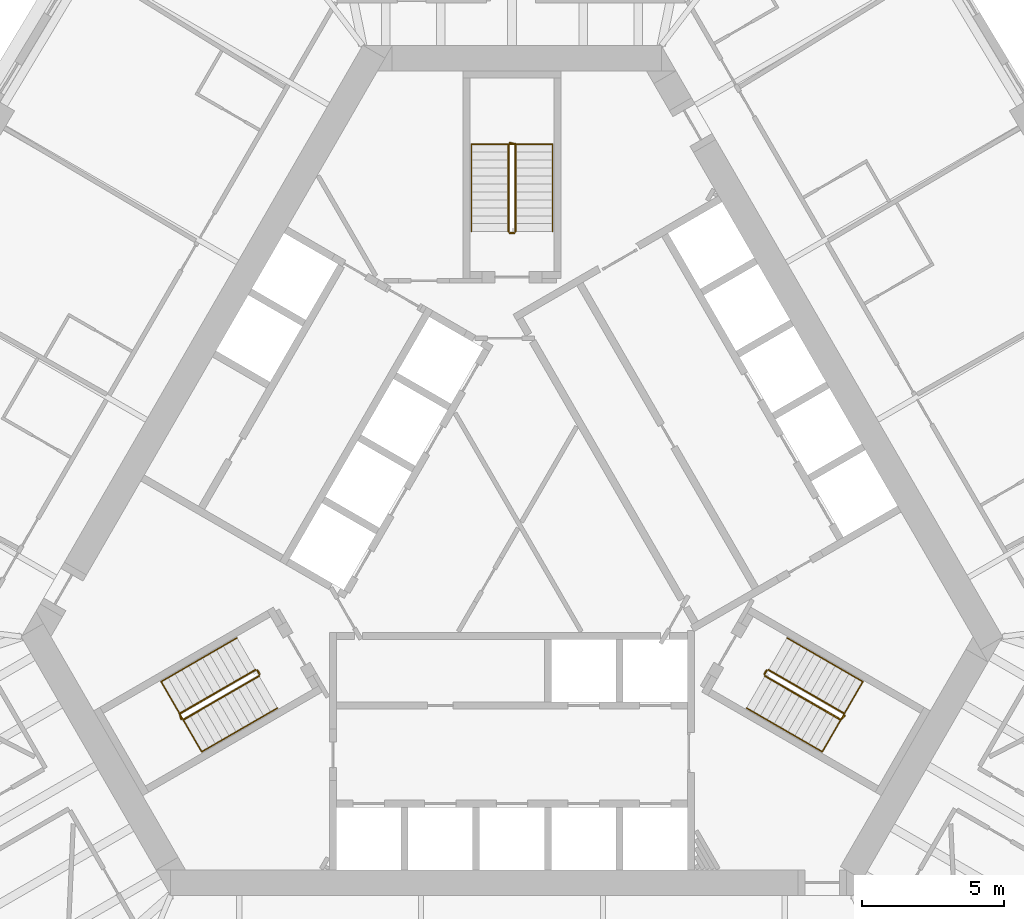
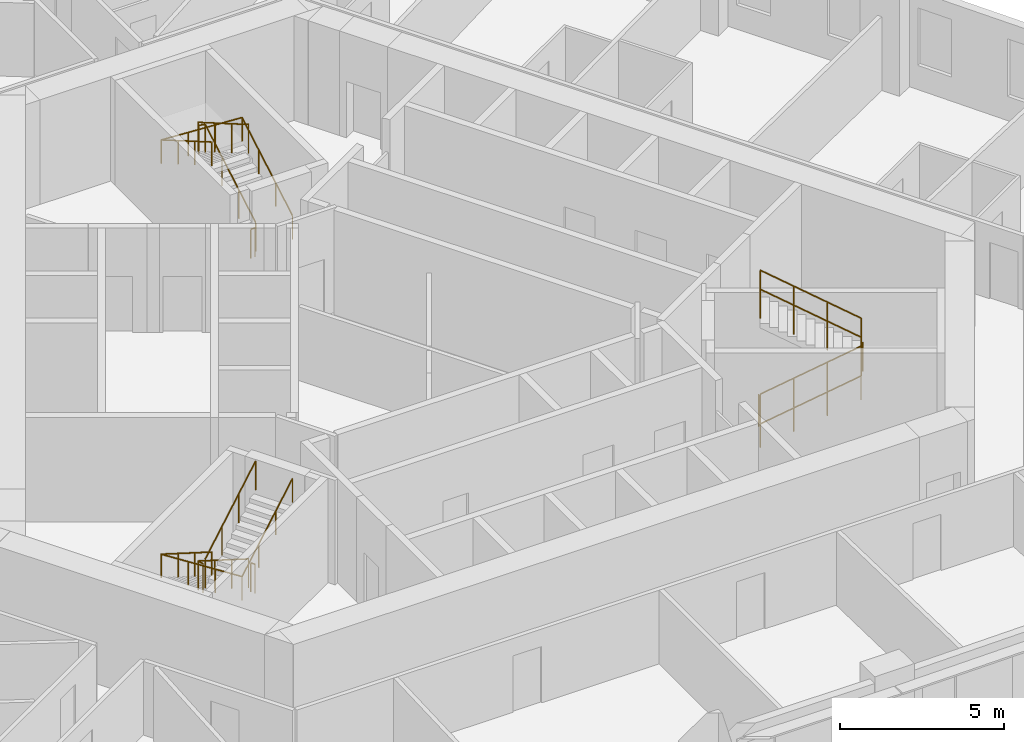
# One storey, part 12 of 12: 12 railings.
"""IFC4 building model written with IfcOpenShell, lengths in metres."""

from ifc_helpers import new_model, si_unit, direction, frame, origin, origin_2d, place, context, subcontext, project, spatial, circle, extrude, material, type_object, element, save


model = new_model("IFC4")

# Units and contexts
model_context = context("Model", 3, precision=1e-05, world=origin(), true_north=direction((0.0, 1.0)))
body_context = subcontext(model_context, "Body", "Model", "MODEL_VIEW")
ifc_project = project(units=[si_unit("LENGTHUNIT", "METRE"), si_unit("AREAUNIT", "SQUARE_METRE"), si_unit("VOLUMEUNIT", "CUBIC_METRE"), si_unit("PLANEANGLEUNIT", "RADIAN"), si_unit("MASSUNIT", "GRAM", prefix="KILO")], contexts=[model_context])

# Site, building, storey
site_placement = place(None, origin())
site = spatial("IfcSite", under=ifc_project, at=site_placement, CompositionType="ELEMENT")
building_placement = place(site_placement, origin())
building = spatial("IfcBuilding", under=site, at=building_placement, Name="Mestral Congress Tower", CompositionType="ELEMENT")
storey_placement = place(building_placement, frame((0.0, 0.0, 47.10009765625)))
storey = spatial("IfcBuildingStorey", under=building, at=storey_placement, Name="L10", CompositionType="ELEMENT", Elevation=47.10009765625)

# Railings
ifc_material_1 = material(Name="Steel balustrade", Category="steel")
railing_type_1 = type_object("IfcRailingType", Name="Stair guard 1100", PredefinedType="GUARDRAIL", material=ifc_material_1)
railing_1_placement = place(storey_placement, frame((8.90087890625, -5.283203125, 0.162353515625)))
element("IfcRailing", 1, at=railing_1_placement, inside=storey, type_object=railing_type_1, Name="L10 ST1 stair guard 1", PredefinedType="GUARDRAIL", context=body_context, shape_type="SweptSolid", body=[
    extrude(circle(Radius=0.02392578125, at=origin_2d()), frame((0.0, 0.0, 1.076171875), z_axis=(0.748993966903, -0.432462603499, 0.501980212875), x_axis=(0.500026652407, 0.866010015463, 0.0)), (0.0, 0.0, 1.0), 3.56103515625),
    extrude(circle(Radius=0.02392578125, at=origin_2d()), frame((2.667236328125, -1.5400390625, 2.86376953125), z_axis=(0.695164929852, 0.718850276695, 0.0), x_axis=(-0.718850276695, 0.695164929852, 0.0)), (0.0, 0.0, 1.0), 0.2060546875),
    extrude(circle(Radius=0.02099609375, at=origin_2d()), origin(), (0.0, 0.0, 1.0), 1.052001953125),
    extrude(circle(Radius=0.02099609375, at=origin_2d()), frame((0.88916015625, -0.513427734375, 0.595947265625)), (0.0, 0.0, 1.0), 1.052001953125),
    extrude(circle(Radius=0.02099609375, at=origin_2d()), frame((1.778076171875, -1.026611328125, 1.191650390625)), (0.0, 0.0, 1.0), 1.052001953125),
    extrude(circle(Radius=0.02099609375, at=origin_2d()), frame((2.667236328125, -1.5400390625, 1.78759765625)), (0.0, 0.0, 1.0), 1.052001953125),
    extrude(circle(Radius=0.02099609375, at=origin_2d()), frame((2.810546875, -1.391845703125, 1.78759765625)), (0.0, 0.0, 1.0), 1.052001953125),
])
railing_2_placement = place(storey_placement, frame((11.693115234375, -6.606689453125, 2.1123046875)))
element("IfcRailing", 2, at=railing_2_placement, inside=storey, type_object=railing_type_1, Name="L10 ST1 stair guard 2", PredefinedType="GUARDRAIL", context=body_context, shape_type="SweptSolid", body=[
    extrude(circle(Radius=0.02392578125, at=origin_2d()), frame((0.0, 0.0, 1.076171875), z_axis=(-0.748993966903, 0.432462603499, 0.501980212875), x_axis=(-0.500026652407, -0.866010015463, 0.0)), (0.0, 0.0, 1.0), 3.56103515625),
    extrude(circle(Radius=0.02099609375, at=origin_2d()), origin(), (0.0, 0.0, 1.0), 1.052001953125),
    extrude(circle(Radius=0.02099609375, at=origin_2d()), frame((-0.88916015625, 0.513427734375, 0.595947265625)), (0.0, 0.0, 1.0), 1.052001953125),
    extrude(circle(Radius=0.02099609375, at=origin_2d()), frame((-1.778076171875, 1.026611328125, 1.191650390625)), (0.0, 0.0, 1.0), 1.052001953125),
    extrude(circle(Radius=0.02099609375, at=origin_2d()), frame((-2.667236328125, 1.5400390625, 1.78759765625)), (0.0, 0.0, 1.0), 1.052001953125),
])
railing_3_placement = place(storey_placement, frame((8.882568359375, -5.21484375, 0.0)))
element("IfcRailing", 3, at=railing_3_placement, inside=storey, type_object=railing_type_1, Name="L10 ST1 stair guard 3", PredefinedType="GUARDRAIL", context=body_context, shape_type="SweptSolid", body=[
    extrude(circle(Radius=0.02392578125, at=origin_2d()), frame((0.0, 0.0, 1.076171875), z_axis=(0.499816412211, 0.866131372301, 0.0), x_axis=(-0.866131372301, 0.499816412211, 0.0)), (0.0, 0.0, 1.0), 0.14990234375),
    extrude(circle(Radius=0.02099609375, at=origin_2d()), origin(), (0.0, 0.0, 1.0), 1.052001953125),
    extrude(circle(Radius=0.02099609375, at=origin_2d()), frame((0.074951171875, 0.1298828125, 0.0)), (0.0, 0.0, 1.0), 1.052001953125),
])
railing_4_placement = place(storey_placement, frame((0.125, 10.35009765625, 0.162353515625)))
element("IfcRailing", 4, at=railing_4_placement, inside=storey, type_object=railing_type_1, Name="L10 ST2 stair guard 1", PredefinedType="GUARDRAIL", context=body_context, shape_type="SweptSolid", body=[
    extrude(circle(Radius=0.02392578125, at=origin_2d()), frame((0.0, 0.0, 1.076171875), z_axis=(0.0, 0.864873446163, 0.501989962173), x_axis=(-1.0, 0.0, 0.0)), (0.0, 0.0, 1.0), 3.56103515625),
    extrude(circle(Radius=0.02392578125, at=origin_2d()), frame((0.0, 3.079833984375, 2.86376953125), z_axis=(-0.970072785993, 0.242814311512, 0.0), x_axis=(-0.242814311512, -0.970072785993, 0.0)), (0.0, 0.0, 1.0), 0.2060546875),
    extrude(circle(Radius=0.02099609375, at=origin_2d()), origin(), (0.0, 0.0, 1.0), 1.052001953125),
    extrude(circle(Radius=0.02099609375, at=origin_2d()), frame((0.0, 1.026611328125, 0.595947265625)), (0.0, 0.0, 1.0), 1.052001953125),
    extrude(circle(Radius=0.02099609375, at=origin_2d()), frame((0.0, 2.05322265625, 1.191650390625)), (0.0, 0.0, 1.0), 1.052001953125),
    extrude(circle(Radius=0.02099609375, at=origin_2d()), frame((0.0, 3.079833984375, 1.78759765625)), (0.0, 0.0, 1.0), 1.052001953125),
    extrude(circle(Radius=0.02099609375, at=origin_2d()), frame((-0.199951171875, 3.1298828125, 1.78759765625)), (0.0, 0.0, 1.0), 1.052001953125),
])
railing_5_placement = place(storey_placement, frame((-0.125, 13.429931640625, 2.1123046875)))
element("IfcRailing", 5, at=railing_5_placement, inside=storey, type_object=railing_type_1, Name="L10 ST2 stair guard 2", PredefinedType="GUARDRAIL", context=body_context, shape_type="SweptSolid", body=[
    extrude(circle(Radius=0.02392578125, at=origin_2d()), frame((0.0, 0.0, 1.076171875), z_axis=(0.0, -0.864873446163, 0.501989962173), x_axis=(1.0, 0.0, 0.0)), (0.0, 0.0, 1.0), 3.56103515625),
    extrude(circle(Radius=0.02099609375, at=origin_2d()), origin(), (0.0, 0.0, 1.0), 1.052001953125),
    extrude(circle(Radius=0.02099609375, at=origin_2d()), frame((0.0, -1.026611328125, 0.595947265625)), (0.0, 0.0, 1.0), 1.052001953125),
    extrude(circle(Radius=0.02099609375, at=origin_2d()), frame((0.0, -2.05322265625, 1.191650390625)), (0.0, 0.0, 1.0), 1.052001953125),
    extrude(circle(Radius=0.02099609375, at=origin_2d()), frame((0.0, -3.079833984375, 1.78759765625)), (0.0, 0.0, 1.0), 1.052001953125),
])
railing_6_placement = place(storey_placement, frame((0.074951171875, 10.300048828125, 0.0)))
element("IfcRailing", 6, at=railing_6_placement, inside=storey, type_object=railing_type_1, Name="L10 ST2 stair guard 3", PredefinedType="GUARDRAIL", context=body_context, shape_type="SweptSolid", body=[
    extrude(circle(Radius=0.02392578125, at=origin_2d()), frame((0.0, 0.0, 1.076171875), z_axis=(-1.0, 0.0, 0.0), x_axis=(0.0, -1.0, 0.0)), (0.0, 0.0, 1.0), 0.14990234375),
    extrude(circle(Radius=0.02099609375, at=origin_2d()), origin(), (0.0, 0.0, 1.0), 1.052001953125),
    extrude(circle(Radius=0.02099609375, at=origin_2d()), frame((-0.14990234375, 0.0, 0.0)), (0.0, 0.0, 1.0), 1.052001953125),
])
railing_7_placement = place(storey_placement, frame((-9.02587890625, -5.066650390625, 0.162353515625)))
element("IfcRailing", 7, at=railing_7_placement, inside=storey, type_object=railing_type_1, Name="L10 ST3 stair guard 1", PredefinedType="GUARDRAIL", context=body_context, shape_type="SweptSolid", body=[
    extrude(circle(Radius=0.02392578125, at=origin_2d()), frame((0.0, 0.0, 1.076171875), z_axis=(-0.748993966903, -0.432462603499, 0.501980212875), x_axis=(0.500026652407, -0.866010015463, 0.0)), (0.0, 0.0, 1.0), 3.56103515625),
    extrude(circle(Radius=0.02392578125, at=origin_2d()), frame((-2.667236328125, -1.5400390625, 2.86376953125), z_axis=(0.274721127897, -0.961523947641, 0.0), x_axis=(0.961523947641, 0.274721127897, 0.0)), (0.0, 0.0, 1.0), 0.2060546875),
    extrude(circle(Radius=0.02099609375, at=origin_2d()), origin(), (0.0, 0.0, 1.0), 1.052001953125),
    extrude(circle(Radius=0.02099609375, at=origin_2d()), frame((-0.88916015625, -0.513427734375, 0.595947265625)), (0.0, 0.0, 1.0), 1.052001953125),
    extrude(circle(Radius=0.02099609375, at=origin_2d()), frame((-1.778076171875, -1.026611328125, 1.191650390625)), (0.0, 0.0, 1.0), 1.052001953125),
    extrude(circle(Radius=0.02099609375, at=origin_2d()), frame((-2.667236328125, -1.5400390625, 1.78759765625)), (0.0, 0.0, 1.0), 1.052001953125),
    extrude(circle(Radius=0.02099609375, at=origin_2d()), frame((-2.610595703125, -1.73828125, 1.78759765625)), (0.0, 0.0, 1.0), 1.052001953125),
])
railing_8_placement = place(storey_placement, frame((-11.568115234375, -6.8232421875, 2.1123046875)))
element("IfcRailing", 8, at=railing_8_placement, inside=storey, type_object=railing_type_1, Name="L10 ST3 stair guard 2", PredefinedType="GUARDRAIL", context=body_context, shape_type="SweptSolid", body=[
    extrude(circle(Radius=0.02392578125, at=origin_2d()), frame((0.0, 0.0, 1.076171875), z_axis=(0.748993966903, 0.432462603499, 0.501980212875), x_axis=(-0.500026652407, 0.866010015463, 0.0)), (0.0, 0.0, 1.0), 3.56103515625),
    extrude(circle(Radius=0.02099609375, at=origin_2d()), origin(), (0.0, 0.0, 1.0), 1.052001953125),
    extrude(circle(Radius=0.02099609375, at=origin_2d()), frame((0.88916015625, 0.513427734375, 0.595947265625)), (0.0, 0.0, 1.0), 1.052001953125),
    extrude(circle(Radius=0.02099609375, at=origin_2d()), frame((1.778076171875, 1.026611328125, 1.191650390625)), (0.0, 0.0, 1.0), 1.052001953125),
    extrude(circle(Radius=0.02099609375, at=origin_2d()), frame((2.667236328125, 1.5400390625, 1.78759765625)), (0.0, 0.0, 1.0), 1.052001953125),
])
railing_9_placement = place(storey_placement, frame((-8.95751953125, -5.0849609375, 0.0)))
element("IfcRailing", 9, at=railing_9_placement, inside=storey, type_object=railing_type_1, Name="L10 ST3 stair guard 3", PredefinedType="GUARDRAIL", context=body_context, shape_type="SweptSolid", body=[
    extrude(circle(Radius=0.02392578125, at=origin_2d()), frame((0.0, 0.0, 1.076171875), z_axis=(0.499816412211, -0.866131372301, 0.0), x_axis=(0.866131372301, 0.499816412211, 0.0)), (0.0, 0.0, 1.0), 0.14990234375),
    extrude(circle(Radius=0.02099609375, at=origin_2d()), origin(), (0.0, 0.0, 1.0), 1.052001953125),
    extrude(circle(Radius=0.02099609375, at=origin_2d()), frame((0.074951171875, -0.1298828125, 0.0)), (0.0, 0.0, 1.0), 1.052001953125),
])
ifc_material_2 = material(Name="Steel handrail", Category="steel")
railing_type_2 = type_object("IfcRailingType", Name="Stair handrail 900", PredefinedType="HANDRAIL", material=ifc_material_2)
railing_10_placement = place(storey_placement, frame((8.2509765625, -6.4091796875, 0.162353515625)))
element("IfcRailing", 10, at=railing_10_placement, inside=storey, type_object=railing_type_2, Name="L10 ST1 stair handrail 1", PredefinedType="HANDRAIL", context=body_context, shape_type="SweptSolid", body=[
    extrude(circle(Radius=0.02392578125, at=origin_2d()), frame((0.0, 0.0, 0.8759765625), z_axis=(0.749016172816, -0.432406865167, 0.50199509541), x_axis=(0.499967199496, 0.866044340336, 0.0)), (0.0, 0.0, 1.0), 3.56103515625),
    extrude(circle(Radius=0.02392578125, at=origin_2d()), frame((2.667236328125, -1.539794921875, 2.66357421875), z_axis=(0.499226936105, 0.864602552182, 0.056876120012), x_axis=(-0.866004402611, 0.500036373335, 0.0)), (0.0, 0.0, 1.0), 2.8544921875),
    extrude(circle(Radius=0.02392578125, at=origin_2d()), frame((4.09228515625, 0.92822265625, 2.82568359375), z_axis=(-0.74902406201, 0.432440397507, 0.501954437309), x_axis=(-0.499992328818, -0.866029832698, 0.0)), (0.0, 0.0, 1.0), 3.561279296875),
    extrude(circle(Radius=0.02099609375, at=origin_2d()), origin(), (0.0, 0.0, 1.0), 0.851806640625),
    extrude(circle(Radius=0.02099609375, at=origin_2d()), frame((0.88916015625, -0.51318359375, 0.595947265625)), (0.0, 0.0, 1.0), 0.851806640625),
    extrude(circle(Radius=0.02099609375, at=origin_2d()), frame((1.778076171875, -1.026611328125, 1.191650390625)), (0.0, 0.0, 1.0), 0.851806640625),
    extrude(circle(Radius=0.02099609375, at=origin_2d()), frame((2.667236328125, -1.539794921875, 1.78759765625)), (0.0, 0.0, 1.0), 0.851806640625),
    extrude(circle(Radius=0.02099609375, at=origin_2d()), frame((3.142333984375, -0.717041015625, 1.841796875)), (0.0, 0.0, 1.0), 0.851806640625),
    extrude(circle(Radius=0.02099609375, at=origin_2d()), frame((3.6171875, 0.10546875, 1.895751953125)), (0.0, 0.0, 1.0), 0.851806640625),
    extrude(circle(Radius=0.02099609375, at=origin_2d()), frame((4.09228515625, 0.92822265625, 1.949951171875)), (0.0, 0.0, 1.0), 0.851806640625),
    extrude(circle(Radius=0.02099609375, at=origin_2d()), frame((3.203125, 1.441650390625, 2.5458984375)), (0.0, 0.0, 1.0), 0.851806640625),
    extrude(circle(Radius=0.02099609375, at=origin_2d()), frame((2.31396484375, 1.954833984375, 3.1416015625)), (0.0, 0.0, 1.0), 0.851806640625),
    extrude(circle(Radius=0.02099609375, at=origin_2d()), frame((1.4248046875, 2.46826171875, 3.737548828125)), (0.0, 0.0, 1.0), 0.851806640625),
])
railing_11_placement = place(storey_placement, frame((1.425048828125, 10.35009765625, 0.162353515625)))
element("IfcRailing", 11, at=railing_11_placement, inside=storey, type_object=railing_type_2, Name="L10 ST2 stair handrail 1", PredefinedType="HANDRAIL", context=body_context, shape_type="SweptSolid", body=[
    extrude(circle(Radius=0.02392578125, at=origin_2d()), frame((0.0, 0.0, 0.8759765625), z_axis=(0.0, 0.864873446163, 0.501989962173), x_axis=(-1.0, 0.0, 0.0)), (0.0, 0.0, 1.0), 3.56103515625),
    extrude(circle(Radius=0.02392578125, at=origin_2d()), frame((0.0, 3.079833984375, 2.66357421875), z_axis=(-0.998381478221, 0.0, 0.056871996147), x_axis=(0.0, -1.0, 0.0)), (0.0, 0.0, 1.0), 2.854736328125),
    extrude(circle(Radius=0.02392578125, at=origin_2d()), frame((-2.85009765625, 3.079833984375, 2.82568359375), z_axis=(0.0, -0.864873446163, 0.501989962173), x_axis=(1.0, 0.0, 0.0)), (0.0, 0.0, 1.0), 3.56103515625),
    extrude(circle(Radius=0.02099609375, at=origin_2d()), origin(), (0.0, 0.0, 1.0), 0.851806640625),
    extrude(circle(Radius=0.02099609375, at=origin_2d()), frame((0.0, 1.026611328125, 0.595947265625)), (0.0, 0.0, 1.0), 0.851806640625),
    extrude(circle(Radius=0.02099609375, at=origin_2d()), frame((0.0, 2.05322265625, 1.191650390625)), (0.0, 0.0, 1.0), 0.851806640625),
    extrude(circle(Radius=0.02099609375, at=origin_2d()), frame((0.0, 3.079833984375, 1.78759765625)), (0.0, 0.0, 1.0), 0.851806640625),
    extrude(circle(Radius=0.02099609375, at=origin_2d()), frame((-0.949951171875, 3.079833984375, 1.841796875)), (0.0, 0.0, 1.0), 0.851806640625),
    extrude(circle(Radius=0.02099609375, at=origin_2d()), frame((-1.900146484375, 3.079833984375, 1.895751953125)), (0.0, 0.0, 1.0), 0.851806640625),
    extrude(circle(Radius=0.02099609375, at=origin_2d()), frame((-2.85009765625, 3.079833984375, 1.949951171875)), (0.0, 0.0, 1.0), 0.851806640625),
    extrude(circle(Radius=0.02099609375, at=origin_2d()), frame((-2.85009765625, 2.05322265625, 2.5458984375)), (0.0, 0.0, 1.0), 0.851806640625),
    extrude(circle(Radius=0.02099609375, at=origin_2d()), frame((-2.85009765625, 1.026611328125, 3.1416015625)), (0.0, 0.0, 1.0), 0.851806640625),
    extrude(circle(Radius=0.02099609375, at=origin_2d()), frame((-2.85009765625, 0.0, 3.737548828125)), (0.0, 0.0, 1.0), 0.851806640625),
])
railing_12_placement = place(storey_placement, frame((-9.67578125, -3.94091796875, 0.162353515625)))
element("IfcRailing", 12, at=railing_12_placement, inside=storey, type_object=railing_type_2, Name="L10 ST3 stair handrail 1", PredefinedType="HANDRAIL", context=body_context, shape_type="SweptSolid", body=[
    extrude(circle(Radius=0.02392578125, at=origin_2d()), frame((0.0, 0.0, 0.8759765625), z_axis=(-0.74902406201, -0.432440397507, 0.501954437309), x_axis=(0.499992328818, -0.866029832698, 0.0)), (0.0, 0.0, 1.0), 3.561279296875),
    extrude(circle(Radius=0.02392578125, at=origin_2d()), frame((-2.66748046875, -1.5400390625, 2.66357421875), z_axis=(0.499226936105, -0.864602552182, 0.056876120012), x_axis=(0.866004402611, 0.500036373335, 0.0)), (0.0, 0.0, 1.0), 2.8544921875),
    extrude(circle(Radius=0.02392578125, at=origin_2d()), frame((-1.242431640625, -4.008056640625, 2.82568359375), z_axis=(0.749016172816, 0.432406865167, 0.50199509541), x_axis=(-0.499967199496, 0.866044340336, 0.0)), (0.0, 0.0, 1.0), 3.56103515625),
    extrude(circle(Radius=0.02099609375, at=origin_2d()), origin(), (0.0, 0.0, 1.0), 0.851806640625),
    extrude(circle(Radius=0.02099609375, at=origin_2d()), frame((-0.88916015625, -0.513427734375, 0.595947265625)), (0.0, 0.0, 1.0), 0.851806640625),
    extrude(circle(Radius=0.02099609375, at=origin_2d()), frame((-1.7783203125, -1.026611328125, 1.191650390625)), (0.0, 0.0, 1.0), 0.851806640625),
    extrude(circle(Radius=0.02099609375, at=origin_2d()), frame((-2.66748046875, -1.5400390625, 1.78759765625)), (0.0, 0.0, 1.0), 0.851806640625),
    extrude(circle(Radius=0.02099609375, at=origin_2d()), frame((-2.1923828125, -2.36279296875, 1.841796875)), (0.0, 0.0, 1.0), 0.851806640625),
    extrude(circle(Radius=0.02099609375, at=origin_2d()), frame((-1.717529296875, -3.185302734375, 1.895751953125)), (0.0, 0.0, 1.0), 0.851806640625),
    extrude(circle(Radius=0.02099609375, at=origin_2d()), frame((-1.242431640625, -4.008056640625, 1.949951171875)), (0.0, 0.0, 1.0), 0.851806640625),
    extrude(circle(Radius=0.02099609375, at=origin_2d()), frame((-0.353271484375, -3.494873046875, 2.5458984375)), (0.0, 0.0, 1.0), 0.851806640625),
    extrude(circle(Radius=0.02099609375, at=origin_2d()), frame((0.53564453125, -2.9814453125, 3.1416015625)), (0.0, 0.0, 1.0), 0.851806640625),
    extrude(circle(Radius=0.02099609375, at=origin_2d()), frame((1.4248046875, -2.46826171875, 3.737548828125)), (0.0, 0.0, 1.0), 0.851806640625),
])

save(model, "model.ifc")
